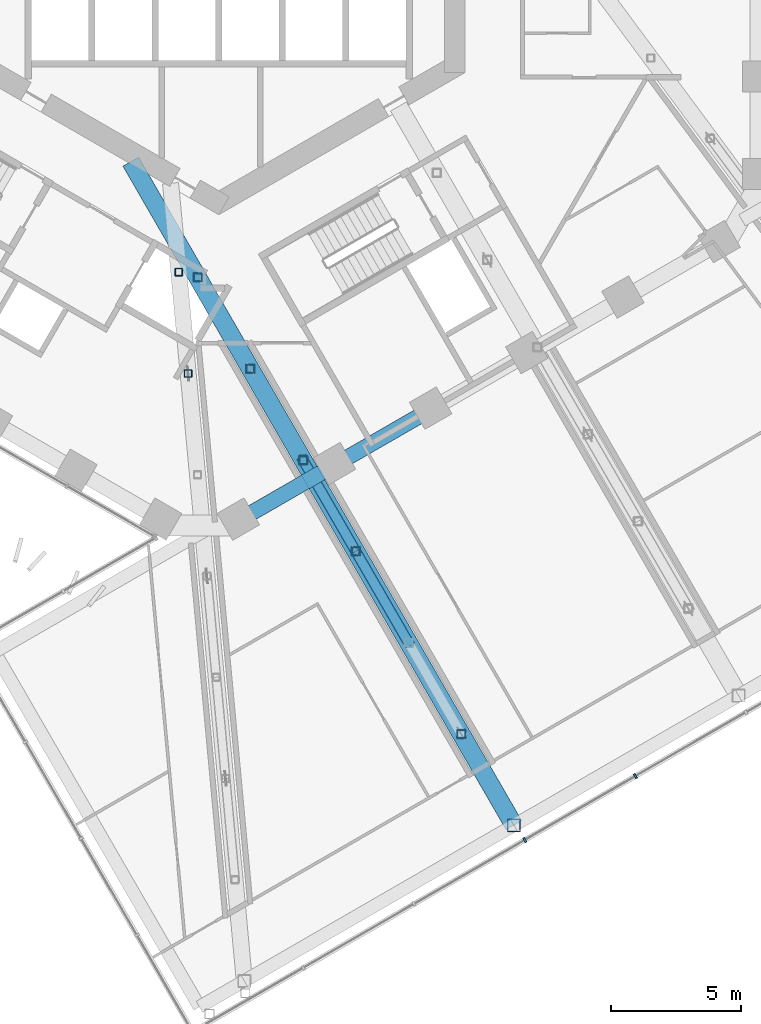
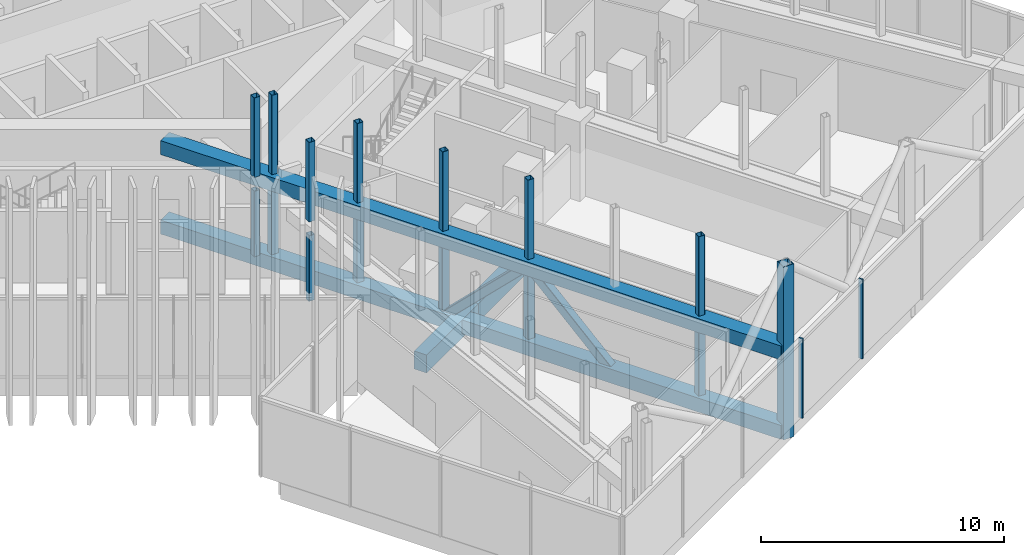
# One storey, part 4 of 29: 21 members, 2 beams, 1 element without a shape of its own.
"""IFC4 building model written with IfcOpenShell, lengths in metres."""

from ifc_helpers import new_model, si_unit, direction, frame, origin, origin_2d, place, context, subcontext, project, spatial, rectangle, hollow_rectangle, extrude, material, layer, layer_set, material_profile, profile_set, type_object, element, aggregate, save


model = new_model("IFC4")

# Units and contexts
model_context = context("Model", 3, precision=1e-05, world=origin(), true_north=direction((0.0, 1.0)))
body_context = subcontext(model_context, "Body", "Model", "MODEL_VIEW")
ifc_project = project(units=[si_unit("LENGTHUNIT", "METRE"), si_unit("AREAUNIT", "SQUARE_METRE"), si_unit("VOLUMEUNIT", "CUBIC_METRE"), si_unit("PLANEANGLEUNIT", "RADIAN"), si_unit("MASSUNIT", "GRAM", prefix="KILO")], contexts=[model_context])

# Site, building, storey
site_placement = place(None, origin())
site = spatial("IfcSite", under=ifc_project, at=site_placement, CompositionType="ELEMENT")
building_placement = place(site_placement, origin())
building = spatial("IfcBuilding", under=site, at=building_placement, Name="Ayvan Gate Tower", CompositionType="ELEMENT")
storey_placement = place(building_placement, frame((0.0, 0.0, 66.300048828125)))
storey = spatial("IfcBuildingStorey", under=building, at=storey_placement, Name="L17", CompositionType="ELEMENT", Elevation=66.300048828125)

# Members
ifc_material_1 = material(Name="Steel S460NH", Category="steel")
ifc_material_profile_1 = material_profile(ifc_material_1, hollow_rectangle(XDim=0.280029296875, YDim=0.280029296875, WallThickness=0.01611328125, InnerFilletRadius=0.01611328125, OuterFilletRadius=0.02392578125, at=origin_2d()), Name="RHS 280x280x16")
ifc_profile_set_1 = profile_set([ifc_material_profile_1], Name="Steel S460NH")
member_type_1 = type_object("IfcMemberType", Name="Sky bar end truss post B1 RHS 280x280x16", PredefinedType="POST", material=ifc_profile_set_1)
for number, where, z_axis, x_axis, name in (
    (1, (-1.542236328125, -13.18505859375, -0.400146484375), (0.0, 0.0, 1.0), (1.0, 0.0, 0.0), "SBT1-1-P-1"),
    (2, (-1.18115234375, -17.088134765625, -0.400146484375), (0.0, 0.0, 1.0), (1.0, 0.0, 0.0), "SBT1-1-P-2"),
):
    element("IfcMember", number, at=place(storey_placement, frame(where, z_axis=z_axis, x_axis=x_axis)), inside=storey, type_object=member_type_1, Name=name, PredefinedType="POST", context=body_context, shape_type="SweptSolid", body=[
        extrude(hollow_rectangle(XDim=0.280029296875, YDim=0.280029296875, WallThickness=0.01611328125, InnerFilletRadius=0.01611328125, OuterFilletRadius=0.02392578125, at=origin_2d()), origin(), (0.0, 0.0, 1.0), 3.300048828125),
    ])
ifc_material_2 = material(Name="Steel S460ML", Category="steel")
ifc_material_profile_2 = material_profile(ifc_material_2, hollow_rectangle(XDim=0.5, YDim=0.5, WallThickness=0.030029296875, at=origin_2d()), Name="BOX 500x500x30")
ifc_profile_set_2 = profile_set([ifc_material_profile_2], Name="Steel S460ML")
member_type_2 = type_object("IfcMemberType", Name="Sky bar end wall post BOX 500x500x30", PredefinedType="POST", material=ifc_profile_set_2)
member_1_placement = place(storey_placement, frame((11.377685546875, -34.506591796875, -1.10009765625), z_axis=(0.0, 0.0, 1.0), x_axis=(1.0, 0.0, 0.0)))
element("IfcMember", 3, at=member_1_placement, inside=storey, type_object=member_type_2, Name="EXO-B1-P2", PredefinedType="POST", context=body_context, shape_type="SweptSolid", body=[
    extrude(hollow_rectangle(XDim=0.5, YDim=0.5, WallThickness=0.030029296875, at=origin_2d()), origin(), (0.0, 0.0, 1.0), 8.699951171875),
])
ifc_material_profile_3 = material_profile(ifc_material_1, hollow_rectangle(XDim=0.39990234375, YDim=0.39990234375, WallThickness=0.02001953125, InnerFilletRadius=0.02001953125, OuterFilletRadius=0.030029296875, at=origin_2d()), Name="RHS 400x400x20")
ifc_profile_set_3 = profile_set([ifc_material_profile_3], Name="Steel S460NH")
member_type_3 = type_object("IfcMemberType", Name="Sky bar truss brace B1 RHS 400x400x20", PredefinedType="BRACE", material=ifc_profile_set_3)
member_2_placement = place(storey_placement, frame((3.247802734375, -20.42529296875, -0.75), z_axis=(0.356391799816, -0.617274878263, 0.701396185967), x_axis=(0.866020554218, 0.500008399602, 0.0)))
element("IfcMember", 4, at=member_2_placement, inside=storey, type_object=member_type_3, Name="SBT1-2-D-4", PredefinedType="BRACE", context=body_context, shape_type="SweptSolid", body=[
    extrude(hollow_rectangle(XDim=0.39990234375, YDim=0.39990234375, WallThickness=0.02001953125, InnerFilletRadius=0.02001953125, OuterFilletRadius=0.030029296875, at=origin_2d()), origin(), (0.0, 0.0, 1.0), 5.702880859375),
])
member_3_placement = place(storey_placement, frame((5.2802734375, -23.945556640625, 3.25), z_axis=(0.356382382056, -0.617301375285, -0.701377651363), x_axis=(0.866035568818, 0.499982393232, 0.0)))
element("IfcMember", 5, at=member_3_placement, inside=storey, type_object=member_type_3, Name="SBT1-2-D-5", PredefinedType="BRACE", context=body_context, shape_type="SweptSolid", body=[
    extrude(hollow_rectangle(XDim=0.39990234375, YDim=0.39990234375, WallThickness=0.02001953125, InnerFilletRadius=0.02001953125, OuterFilletRadius=0.030029296875, at=origin_2d()), origin(), (0.0, 0.0, 1.0), 5.703125),
])
ifc_material_profile_4 = material_profile(ifc_material_2, hollow_rectangle(XDim=0.699951171875, YDim=0.699951171875, WallThickness=0.044921875, at=origin_2d()), Name="BOX 700x700x45")
ifc_profile_set_4 = profile_set([ifc_material_profile_4], Name="Steel S460ML")
member_type_4 = type_object("IfcMemberType", Name="Sky bar truss chord B1 BOX 700x700x45", PredefinedType="CHORD", material=ifc_profile_set_4)
for number, where, z_axis, x_axis, name in (
    (6, (-3.39208984375, -8.924560546875, -0.75), (0.499999562333, -0.866025656471, 0.0), (0.866025656471, 0.499999562333, 0.0), "SBT1-2-BC-1"),
    (7, (-3.39208984375, -8.924560546875, 3.25), (0.499999562333, -0.866025656471, 0.0), (0.866025656471, 0.499999562333, 0.0), "SBT1-2-TC-1"),
):
    element("IfcMember", number, at=place(storey_placement, frame(where, z_axis=z_axis, x_axis=x_axis)), inside=storey, type_object=member_type_4, Name=name, PredefinedType="CHORD", context=body_context, shape_type="SweptSolid", body=[
        extrude(hollow_rectangle(XDim=0.699951171875, YDim=0.699951171875, WallThickness=0.044921875, at=origin_2d()), origin(), (0.0, 0.0, 1.0), 29.53955078125),
    ])
ifc_material_profile_5 = material_profile(ifc_material_1, hollow_rectangle(XDim=0.35009765625, YDim=0.35009765625, WallThickness=0.01611328125, InnerFilletRadius=0.01611328125, OuterFilletRadius=0.02392578125, at=origin_2d()), Name="RHS 350x350x16")
ifc_profile_set_5 = profile_set([ifc_material_profile_5], Name="Steel S460NH")
member_type_5 = type_object("IfcMemberType", Name="Sky bar truss post B1 RHS 350x350x16", PredefinedType="POST", material=ifc_profile_set_5)
for number, where, z_axis, x_axis, name in (
    (8, (-0.817138671875, -13.384521484375, -0.400146484375), (0.0, 0.0, 1.0), (1.0, 0.0, 0.0), "SBT1-2-P-1"),
    (9, (1.21533203125, -16.905029296875, -0.400146484375), (0.0, 0.0, 1.0), (1.0, 0.0, 0.0), "SBT1-2-P-2"),
    (10, (3.247802734375, -20.42529296875, -0.400146484375), (0.0, 0.0, 1.0), (1.0, 0.0, 0.0), "SBT1-2-P-3"),
    (11, (5.2802734375, -23.945556640625, -0.400146484375), (0.0, 0.0, 1.0), (1.0, 0.0, 0.0), "SBT1-2-P-4"),
    (12, (9.34521484375, -30.986328125, -0.400146484375), (0.0, 0.0, 1.0), (1.0, 0.0, 0.0), "SBT1-2-P-6"),
):
    element("IfcMember", number, at=place(storey_placement, frame(where, z_axis=z_axis, x_axis=x_axis)), inside=storey, type_object=member_type_5, Name=name, PredefinedType="POST", context=body_context, shape_type="SweptSolid", body=[
        extrude(hollow_rectangle(XDim=0.35009765625, YDim=0.35009765625, WallThickness=0.01611328125, InnerFilletRadius=0.01611328125, OuterFilletRadius=0.02392578125, at=origin_2d()), origin(), (0.0, 0.0, 1.0), 3.300048828125),
    ])
ifc_material_profile_6 = material_profile(ifc_material_1, hollow_rectangle(XDim=0.300048828125, YDim=0.300048828125, WallThickness=0.01611328125, InnerFilletRadius=0.01611328125, OuterFilletRadius=0.02392578125, at=origin_2d()), Name="RHS 300x300x16")
ifc_profile_set_6 = profile_set([ifc_material_profile_6], Name="Steel S460NH")
member_type_6 = type_object("IfcMemberType", Name="Sky bar upper post B1 RHS 300x300x16", PredefinedType="POST", material=ifc_profile_set_6)
for number, where, z_axis, x_axis, name in (
    (13, (-1.542236328125, -13.18505859375, 3.599853515625), (0.0, 0.0, 1.0), (1.0, 0.0, 0.0), "SBT1-1-U-1"),
    (14, (-1.18115234375, -17.088134765625, 3.599853515625), (0.0, 0.0, 1.0), (1.0, 0.0, 0.0), "SBT1-1-U-2"),
    (15, (-0.817138671875, -13.384521484375, 3.599853515625), (0.0, 0.0, 1.0), (1.0, 0.0, 0.0), "SBT1-2-U-1"),
    (16, (1.21533203125, -16.905029296875, 3.599853515625), (0.0, 0.0, 1.0), (1.0, 0.0, 0.0), "SBT1-2-U-2"),
    (17, (3.247802734375, -20.42529296875, 3.599853515625), (0.0, 0.0, 1.0), (1.0, 0.0, 0.0), "SBT1-2-U-3"),
    (18, (5.2802734375, -23.945556640625, 3.599853515625), (0.0, 0.0, 1.0), (1.0, 0.0, 0.0), "SBT1-2-U-4"),
    (19, (9.34521484375, -30.986328125, 3.599853515625), (0.0, 0.0, 1.0), (1.0, 0.0, 0.0), "SBT1-2-U-6"),
):
    element("IfcMember", number, at=place(storey_placement, frame(where, z_axis=z_axis, x_axis=x_axis)), inside=storey, type_object=member_type_6, Name=name, PredefinedType="POST", context=body_context, shape_type="SweptSolid", body=[
        extrude(hollow_rectangle(XDim=0.300048828125, YDim=0.300048828125, WallThickness=0.01611328125, InnerFilletRadius=0.01611328125, OuterFilletRadius=0.02392578125, at=origin_2d()), origin(), (0.0, 0.0, 1.0), 4.0),
    ])

# Beams
ifc_material_3 = material(Name="Concrete C40/50", Category="concrete")
ifc_material_profile_7 = material_profile(ifc_material_3, rectangle(XDim=0.60009765625, YDim=0.89990234375, at=origin_2d()), Name="RC 600x900")
ifc_profile_set_7 = profile_set([ifc_material_profile_7], Name="Concrete C40/50")
beam_type = type_object("IfcBeamType", Name="Spandrel beam RC 600x900 C40/50", PredefinedType="BEAM", material=ifc_profile_set_7)
for number, where, z_axis, x_axis, name in (
    (20, (0.802734375, -22.7314453125, -0.85009765625), (0.866002692346, 0.500039335303, 0.0), (-0.500039335303, 0.866002692346, 0.0), "SB-L17-31"),
    (21, (4.4990234375, -20.59716796875, -0.85009765625), (0.86604176052, 0.499971668232, 0.0), (-0.499971668232, 0.86604176052, 0.0), "SB-L17-32"),
):
    element("IfcBeam", number, at=place(storey_placement, frame(where, z_axis=z_axis, x_axis=x_axis)), inside=storey, type_object=beam_type, Name=name, PredefinedType="BEAM", context=body_context, shape_type="SweptSolid", body=[
        extrude(rectangle(XDim=0.60009765625, YDim=0.89990234375, at=origin_2d()), origin(), (0.0, 0.0, 1.0), 4.268310546875),
    ])

# Curtain wall, members
ifc_material_4 = material(Name="Bronze anodised aluminium", Category="aluminium")
ifc_layer = layer(ifc_material_4, 0.199951171875)
ifc_layer_set = layer_set([ifc_layer], Name="Bronze anodised aluminium")
curtain_wall_type = type_object("IfcCurtainWallType", Name="Stick curtain wall CW-4", PredefinedType="NOTDEFINED", material=ifc_layer_set)
curtain_wall_placement = place(storey_placement, origin())
curtain_wall = element("IfcCurtainWall", 22, at=curtain_wall_placement, inside=storey, type_object=curtain_wall_type, Name="Stick curtain wall CW-4 L17", PredefinedType="NOTDEFINED")
ifc_material_profile_8 = material_profile(ifc_material_4, rectangle(XDim=0.199951171875, YDim=0.080078125, at=origin_2d()), Name="Stick curtain wall CW-4 mullion 200 x 80")
ifc_profile_set_8 = profile_set([ifc_material_profile_8], Name="Bronze anodised aluminium")
member_type_7 = type_object("IfcMemberType", Name="Stick curtain wall CW-4 mullion 200 x 80", PredefinedType="MULLION", material=ifc_profile_set_8)
member_4_placement = place(storey_placement, frame((11.79248046875, -35.075439453125, 0.0), z_axis=(0.0, 0.0, 1.0), x_axis=(0.5, -0.866025403784, 0.0)))
member_4 = element("IfcMember", 23, at=member_4_placement, type_object=member_type_7, Name="CW-4 mullion 4", PredefinedType="MULLION", context=body_context, shape_type="SweptSolid", body=[
    extrude(rectangle(XDim=0.199951171875, YDim=0.080078125, at=origin_2d()), origin(), (0.0, 0.0, 1.0), 4.0),
])
member_5_placement = place(storey_placement, frame((16.057861328125, -32.61279296875, 0.0), z_axis=(0.0, 0.0, 1.0), x_axis=(0.5, -0.866025403784, 0.0)))
member_5 = element("IfcMember", 24, at=member_5_placement, type_object=member_type_7, Name="CW-4 mullion 5", PredefinedType="MULLION", context=body_context, shape_type="SweptSolid", body=[
    extrude(rectangle(XDim=0.199951171875, YDim=0.080078125, at=origin_2d()), origin(), (0.0, 0.0, 1.0), 4.0),
])
aggregate(curtain_wall, [member_4, member_5])

save(model, "model.ifc")
